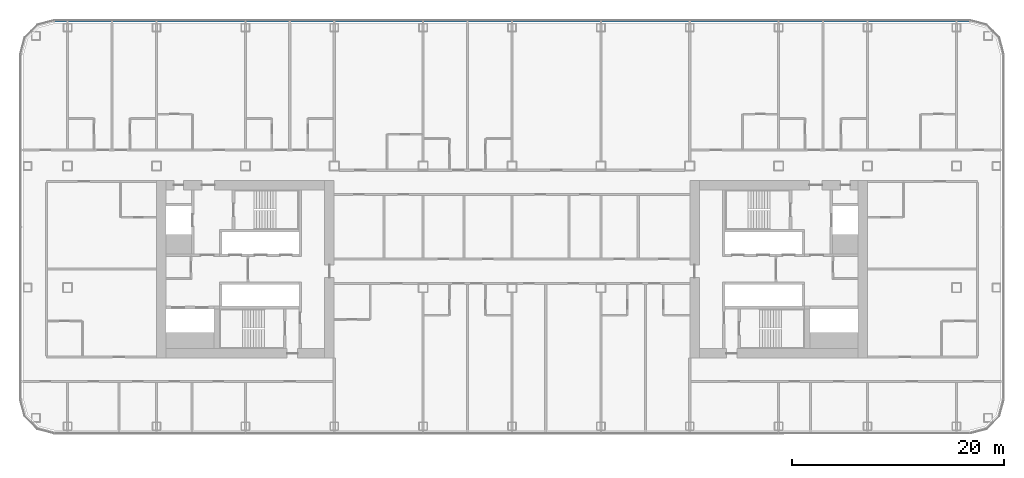
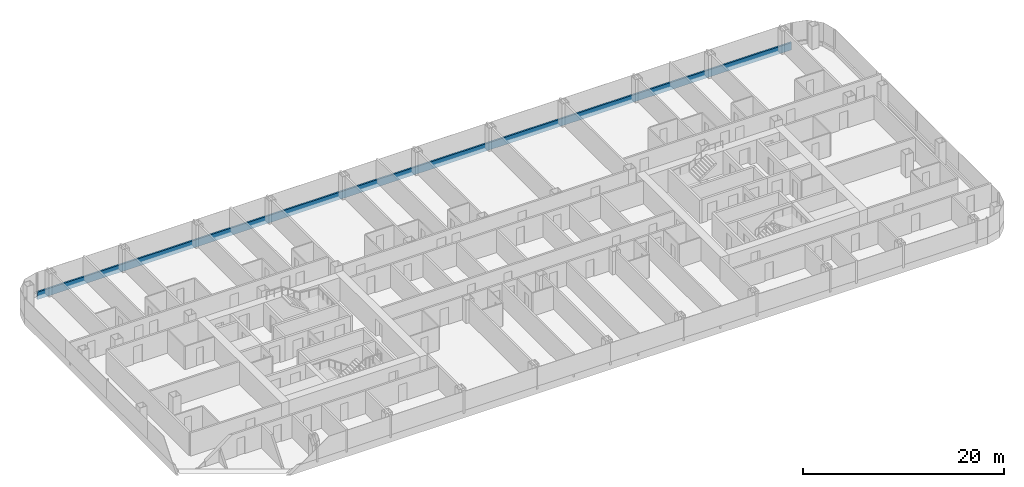
# One storey, part 9 of 29: 1 member, 1 element without a shape of its own.
"""IFC4 building model written with IfcOpenShell, lengths in metres."""

from ifc_helpers import new_model, si_unit, direction, frame, origin, origin_2d, place, context, subcontext, project, spatial, rectangle, extrude, material, layer, layer_set, material_profile, profile_set, type_object, element, aggregate, save


model = new_model("IFC4")

# Units and contexts
model_context = context("Model", 3, precision=1e-05, world=origin(), true_north=direction((0.0, 1.0)))
body_context = subcontext(model_context, "Body", "Model", "MODEL_VIEW")
ifc_project = project(units=[si_unit("LENGTHUNIT", "METRE"), si_unit("AREAUNIT", "SQUARE_METRE"), si_unit("VOLUMEUNIT", "CUBIC_METRE"), si_unit("PLANEANGLEUNIT", "RADIAN"), si_unit("MASSUNIT", "GRAM", prefix="KILO")], contexts=[model_context])

# Site, building, storey
site_placement = place(None, origin())
site = spatial("IfcSite", under=ifc_project, at=site_placement, CompositionType="ELEMENT")
building_placement = place(site_placement, origin())
building = spatial("IfcBuilding", under=site, at=building_placement, Name="Hakoniwa Tower and Hamabe Station Hall", CompositionType="ELEMENT")
storey_placement = place(building_placement, frame((0.0, 0.0, 113.800048828125)))
storey = spatial("IfcBuildingStorey", under=building, at=storey_placement, Name="L32", CompositionType="ELEMENT", Elevation=113.800048828125)

# Curtain wall, member
ifc_material_1 = material(Name="Dark low-e laminated glass", Category="glass")
ifc_layer = layer(ifc_material_1, 0.199951171875)
ifc_layer_set = layer_set([ifc_layer], Name="CW-1 UNITISED GUEST")
curtain_wall_type = type_object("IfcCurtainWallType", Name="CW-1 UNITISED GUEST", PredefinedType="NOTDEFINED", material=ifc_layer_set)
curtain_wall_placement = place(storey_placement, origin())
curtain_wall = element("IfcCurtainWall", 1, at=curtain_wall_placement, inside=storey, type_object=curtain_wall_type, Name="CW-1 curtain wall", PredefinedType="NOTDEFINED")
ifc_material_2 = material(Name="Aluminium 6063-T5 black anodised", Category="aluminium")
ifc_material_profile = material_profile(ifc_material_2, rectangle(XDim=0.199951171875, YDim=0.89990234375, at=origin_2d()), Name="CW SLAB-EDGE BAND 900X200")
ifc_profile_set = profile_set([ifc_material_profile], Name="Aluminium 6063-T5 black anodised")
member_type = type_object("IfcMemberType", Name="CW SLAB-EDGE BAND 900X200", PredefinedType="USERDEFINED", material=ifc_profile_set)
member_placement = place(storey_placement, frame((43.239501953125, 23.449951171875, -0.10009765625), z_axis=(-1.0, 0.0, 0.0), x_axis=(0.0, -1.0, 0.0)))
member = element("IfcMember", 2, at=member_placement, type_object=member_type, Name="CW-1 transom", ObjectType="TRANSOM", PredefinedType="USERDEFINED", context=body_context, shape_type="SweptSolid", body=[
    extrude(rectangle(XDim=0.199951171875, YDim=0.89990234375, at=origin_2d()), origin(), (0.0, 0.0, 1.0), 86.47900390625),
])
aggregate(curtain_wall, [member])

save(model, "model.ifc")
